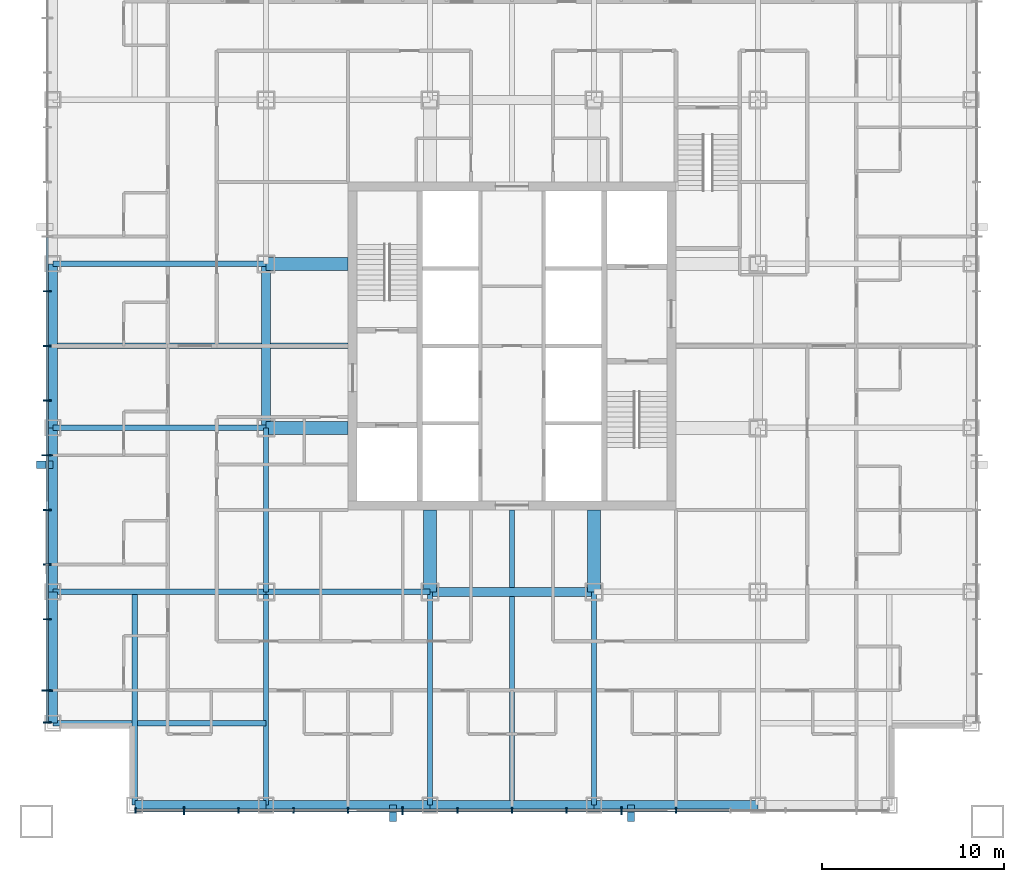
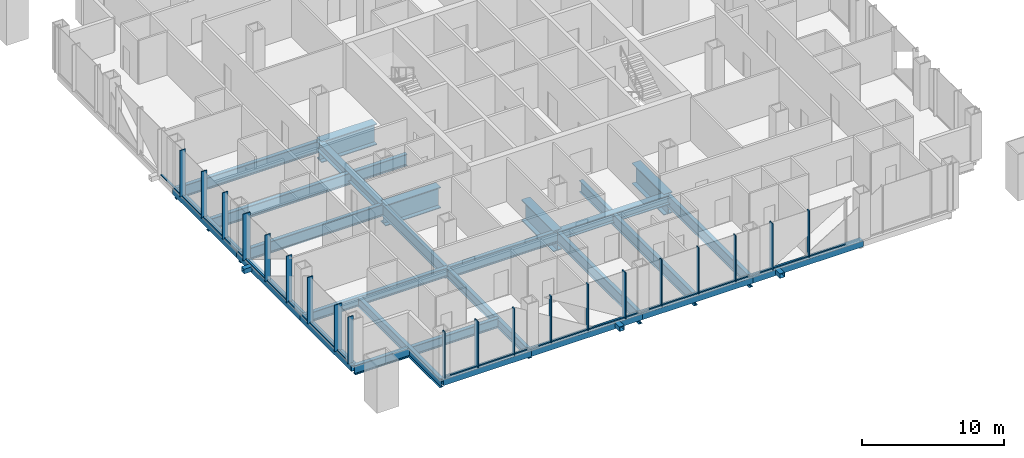
# One storey, part 2 of 17: 43 members, 25 beams, 2 elements without a shape of their own.
"""IFC4 building model written with IfcOpenShell, lengths in metres."""

from ifc_helpers import new_model, si_unit, direction, frame, origin, origin_2d, place, context, subcontext, project, spatial, rectangle, hollow_rectangle, i_section, extrude, material, layer, layer_set, material_profile, profile_set, type_object, element, aggregate, save


model = new_model("IFC4")

# Units and contexts
model_context = context("Model", 3, precision=1e-05, world=origin(), true_north=direction((0.0, 1.0)))
body_context = subcontext(model_context, "Body", "Model", "MODEL_VIEW")
ifc_project = project(units=[si_unit("LENGTHUNIT", "METRE"), si_unit("AREAUNIT", "SQUARE_METRE"), si_unit("VOLUMEUNIT", "CUBIC_METRE"), si_unit("PLANEANGLEUNIT", "RADIAN"), si_unit("MASSUNIT", "GRAM", prefix="KILO")], contexts=[model_context])

# Site, building, storey
site_placement = place(None, origin())
site = spatial("IfcSite", under=ifc_project, at=site_placement, CompositionType="ELEMENT")
building_placement = place(site_placement, origin())
building = spatial("IfcBuilding", under=site, at=building_placement, Name="Malebo Sky Hospital", CompositionType="ELEMENT")
storey_placement = place(building_placement, frame((0.0, 0.0, 51.0)))
storey = spatial("IfcBuildingStorey", under=building, at=storey_placement, Name="L11", CompositionType="ELEMENT", Elevation=51.0)

# Curtain wall, members
ifc_material_1 = material(Name="Anodised aluminium, natural silver", Category="aluminium")
ifc_layer_1 = layer(ifc_material_1, 0.25)
ifc_layer_set_1 = layer_set([ifc_layer_1], Name="WARD CURTAIN WALL EAST AND WEST")
curtain_wall_type_1 = type_object("IfcCurtainWallType", Name="WARD CURTAIN WALL EAST AND WEST", PredefinedType="NOTDEFINED", material=ifc_layer_set_1)
curtain_wall_1_placement = place(storey_placement, origin())
curtain_wall_1 = element("IfcCurtainWall", 1, at=curtain_wall_1_placement, inside=storey, type_object=curtain_wall_type_1, Name="EW curtain wall W", PredefinedType="NOTDEFINED")
ifc_material_profile_1 = material_profile(ifc_material_1, rectangle(XDim=0.14990234375, YDim=0.10009765625, at=origin_2d()), Name="ALUMINIUM TRANSOM 150x100")
ifc_profile_set_1 = profile_set([ifc_material_profile_1], Name="Anodised aluminium, natural silver")
member_type_1 = type_object("IfcMemberType", Name="ALUMINIUM TRANSOM 150x100", PredefinedType="USERDEFINED", material=ifc_profile_set_1)
member_1_placement = place(storey_placement, frame((34.5, 41.375, 0.050048828125), z_axis=(0.0, 1.0, 0.0), x_axis=(-1.0, 0.0, 0.0)))
member_1 = element("IfcMember", 2, at=member_1_placement, type_object=member_type_1, Name="Transom 1", ObjectType="TRANSOM", PredefinedType="USERDEFINED", context=body_context, shape_type="SweptSolid", body=[
    extrude(rectangle(XDim=0.14990234375, YDim=0.10009765625, at=origin_2d()), origin(), (0.0, 0.0, 1.0), 1.6875),
])
member_2_placement = place(storey_placement, frame((34.5, 43.137451171875, 0.050048828125), z_axis=(0.0, 1.0, 0.0), x_axis=(-1.0, 0.0, 0.0)))
member_2 = element("IfcMember", 3, at=member_2_placement, type_object=member_type_1, Name="Transom 2", ObjectType="TRANSOM", PredefinedType="USERDEFINED", context=body_context, shape_type="SweptSolid", body=[
    extrude(rectangle(XDim=0.14990234375, YDim=0.10009765625, at=origin_2d()), origin(), (0.0, 0.0, 1.0), 3.824951171875),
])
member_3_placement = place(storey_placement, frame((34.5, 47.03759765625, 0.050048828125), z_axis=(0.0, 1.0, 0.0), x_axis=(-1.0, 0.0, 0.0)))
member_3 = element("IfcMember", 4, at=member_3_placement, type_object=member_type_1, Name="Transom 3", ObjectType="TRANSOM", PredefinedType="USERDEFINED", context=body_context, shape_type="SweptSolid", body=[
    extrude(rectangle(XDim=0.14990234375, YDim=0.10009765625, at=origin_2d()), origin(), (0.0, 0.0, 1.0), 2.9248046875),
])
member_4_placement = place(storey_placement, frame((34.5, 50.03759765625, 0.050048828125), z_axis=(0.0, 1.0, 0.0), x_axis=(-1.0, 0.0, 0.0)))
member_4 = element("IfcMember", 5, at=member_4_placement, type_object=member_type_1, Name="Transom 4", ObjectType="TRANSOM", PredefinedType="USERDEFINED", context=body_context, shape_type="SweptSolid", body=[
    extrude(rectangle(XDim=0.14990234375, YDim=0.10009765625, at=origin_2d()), origin(), (0.0, 0.0, 1.0), 2.9248046875),
])
member_5_placement = place(storey_placement, frame((34.5, 53.03759765625, 0.050048828125), z_axis=(0.0, 1.0, 0.0), x_axis=(-1.0, 0.0, 0.0)))
member_5 = element("IfcMember", 6, at=member_5_placement, type_object=member_type_1, Name="Transom 5", ObjectType="TRANSOM", PredefinedType="USERDEFINED", context=body_context, shape_type="SweptSolid", body=[
    extrude(rectangle(XDim=0.14990234375, YDim=0.10009765625, at=origin_2d()), origin(), (0.0, 0.0, 1.0), 2.9248046875),
])
member_6_placement = place(storey_placement, frame((34.5, 56.03759765625, 0.050048828125), z_axis=(0.0, 1.0, 0.0), x_axis=(-1.0, 0.0, 0.0)))
member_6 = element("IfcMember", 7, at=member_6_placement, type_object=member_type_1, Name="Transom 6", ObjectType="TRANSOM", PredefinedType="USERDEFINED", context=body_context, shape_type="SweptSolid", body=[
    extrude(rectangle(XDim=0.14990234375, YDim=0.10009765625, at=origin_2d()), origin(), (0.0, 0.0, 1.0), 2.9248046875),
])
member_7_placement = place(storey_placement, frame((34.5, 59.03759765625, 0.050048828125), z_axis=(0.0, 1.0, 0.0), x_axis=(-1.0, 0.0, 0.0)))
member_7 = element("IfcMember", 8, at=member_7_placement, type_object=member_type_1, Name="Transom 7", ObjectType="TRANSOM", PredefinedType="USERDEFINED", context=body_context, shape_type="SweptSolid", body=[
    extrude(rectangle(XDim=0.14990234375, YDim=0.10009765625, at=origin_2d()), origin(), (0.0, 0.0, 1.0), 2.9248046875),
])
member_8_placement = place(storey_placement, frame((34.5, 62.03759765625, 0.050048828125), z_axis=(0.0, 1.0, 0.0), x_axis=(-1.0, 0.0, 0.0)))
member_8 = element("IfcMember", 9, at=member_8_placement, type_object=member_type_1, Name="Transom 8", ObjectType="TRANSOM", PredefinedType="USERDEFINED", context=body_context, shape_type="SweptSolid", body=[
    extrude(rectangle(XDim=0.14990234375, YDim=0.10009765625, at=origin_2d()), origin(), (0.0, 0.0, 1.0), 2.9248046875),
])
member_9_placement = place(storey_placement, frame((34.5, 65.03759765625, 0.050048828125), z_axis=(0.0, 1.0, 0.0), x_axis=(-1.0, 0.0, 0.0)))
member_9 = element("IfcMember", 10, at=member_9_placement, type_object=member_type_1, Name="Transom 9", ObjectType="TRANSOM", PredefinedType="USERDEFINED", context=body_context, shape_type="SweptSolid", body=[
    extrude(rectangle(XDim=0.14990234375, YDim=0.10009765625, at=origin_2d()), origin(), (0.0, 0.0, 1.0), 2.9248046875),
])

ifc_layer_2 = layer(ifc_material_1, 0.25)
ifc_layer_set_2 = layer_set([ifc_layer_2], Name="WARD CURTAIN WALL NORTH AND SOUTH")
curtain_wall_type_2 = type_object("IfcCurtainWallType", Name="WARD CURTAIN WALL NORTH AND SOUTH", PredefinedType="NOTDEFINED", material=ifc_layer_set_2)
curtain_wall_2_placement = place(storey_placement, origin())
curtain_wall_2 = element("IfcCurtainWall", 11, at=curtain_wall_2_placement, inside=storey, type_object=curtain_wall_type_2, Name="NS curtain wall S", PredefinedType="NOTDEFINED")
member_10_placement = place(storey_placement, frame((71.96240234375, 36.5, 0.050048828125), z_axis=(-1.0, 0.0, 0.0), x_axis=(0.0, -1.0, 0.0)))
member_10 = element("IfcMember", 12, at=member_10_placement, type_object=member_type_1, Name="Transom 4", ObjectType="TRANSOM", PredefinedType="USERDEFINED", context=body_context, shape_type="SweptSolid", body=[
    extrude(rectangle(XDim=0.14990234375, YDim=0.10009765625, at=origin_2d()), origin(), (0.0, 0.0, 1.0), 2.9248046875),
])
member_11_placement = place(storey_placement, frame((68.96240234375, 36.5, 0.050048828125), z_axis=(-1.0, 0.0, 0.0), x_axis=(0.0, -1.0, 0.0)))
member_11 = element("IfcMember", 13, at=member_11_placement, type_object=member_type_1, Name="Transom 5", ObjectType="TRANSOM", PredefinedType="USERDEFINED", context=body_context, shape_type="SweptSolid", body=[
    extrude(rectangle(XDim=0.14990234375, YDim=0.10009765625, at=origin_2d()), origin(), (0.0, 0.0, 1.0), 2.9248046875),
])
member_12_placement = place(storey_placement, frame((65.96240234375, 36.5, 0.050048828125), z_axis=(-1.0, 0.0, 0.0), x_axis=(0.0, -1.0, 0.0)))
member_12 = element("IfcMember", 14, at=member_12_placement, type_object=member_type_1, Name="Transom 6", ObjectType="TRANSOM", PredefinedType="USERDEFINED", context=body_context, shape_type="SweptSolid", body=[
    extrude(rectangle(XDim=0.14990234375, YDim=0.10009765625, at=origin_2d()), origin(), (0.0, 0.0, 1.0), 2.9248046875),
])
member_13_placement = place(storey_placement, frame((62.96240234375, 36.5, 0.050048828125), z_axis=(-1.0, 0.0, 0.0), x_axis=(0.0, -1.0, 0.0)))
member_13 = element("IfcMember", 15, at=member_13_placement, type_object=member_type_1, Name="Transom 7", ObjectType="TRANSOM", PredefinedType="USERDEFINED", context=body_context, shape_type="SweptSolid", body=[
    extrude(rectangle(XDim=0.14990234375, YDim=0.10009765625, at=origin_2d()), origin(), (0.0, 0.0, 1.0), 2.9248046875),
])
member_14_placement = place(storey_placement, frame((59.96240234375, 36.5, 0.050048828125), z_axis=(-1.0, 0.0, 0.0), x_axis=(0.0, -1.0, 0.0)))
member_14 = element("IfcMember", 16, at=member_14_placement, type_object=member_type_1, Name="Transom 8", ObjectType="TRANSOM", PredefinedType="USERDEFINED", context=body_context, shape_type="SweptSolid", body=[
    extrude(rectangle(XDim=0.14990234375, YDim=0.10009765625, at=origin_2d()), origin(), (0.0, 0.0, 1.0), 2.9248046875),
])
member_15_placement = place(storey_placement, frame((56.96240234375, 36.5, 0.050048828125), z_axis=(-1.0, 0.0, 0.0), x_axis=(0.0, -1.0, 0.0)))
member_15 = element("IfcMember", 17, at=member_15_placement, type_object=member_type_1, Name="Transom 9", ObjectType="TRANSOM", PredefinedType="USERDEFINED", context=body_context, shape_type="SweptSolid", body=[
    extrude(rectangle(XDim=0.14990234375, YDim=0.10009765625, at=origin_2d()), origin(), (0.0, 0.0, 1.0), 2.9248046875),
])
member_16_placement = place(storey_placement, frame((53.96240234375, 36.5, 0.050048828125), z_axis=(-1.0, 0.0, 0.0), x_axis=(0.0, -1.0, 0.0)))
member_16 = element("IfcMember", 18, at=member_16_placement, type_object=member_type_1, Name="Transom 10", ObjectType="TRANSOM", PredefinedType="USERDEFINED", context=body_context, shape_type="SweptSolid", body=[
    extrude(rectangle(XDim=0.14990234375, YDim=0.10009765625, at=origin_2d()), origin(), (0.0, 0.0, 1.0), 2.9248046875),
])
member_17_placement = place(storey_placement, frame((50.96240234375, 36.5, 0.050048828125), z_axis=(-1.0, 0.0, 0.0), x_axis=(0.0, -1.0, 0.0)))
member_17 = element("IfcMember", 19, at=member_17_placement, type_object=member_type_1, Name="Transom 11", ObjectType="TRANSOM", PredefinedType="USERDEFINED", context=body_context, shape_type="SweptSolid", body=[
    extrude(rectangle(XDim=0.14990234375, YDim=0.10009765625, at=origin_2d()), origin(), (0.0, 0.0, 1.0), 2.9248046875),
])
member_18_placement = place(storey_placement, frame((47.96240234375, 36.5, 0.050048828125), z_axis=(-1.0, 0.0, 0.0), x_axis=(0.0, -1.0, 0.0)))
member_18 = element("IfcMember", 20, at=member_18_placement, type_object=member_type_1, Name="Transom 12", ObjectType="TRANSOM", PredefinedType="USERDEFINED", context=body_context, shape_type="SweptSolid", body=[
    extrude(rectangle(XDim=0.14990234375, YDim=0.10009765625, at=origin_2d()), origin(), (0.0, 0.0, 1.0), 2.9248046875),
])
member_19_placement = place(storey_placement, frame((44.96240234375, 36.5, 0.050048828125), z_axis=(-1.0, 0.0, 0.0), x_axis=(0.0, -1.0, 0.0)))
member_19 = element("IfcMember", 21, at=member_19_placement, type_object=member_type_1, Name="Transom 13", ObjectType="TRANSOM", PredefinedType="USERDEFINED", context=body_context, shape_type="SweptSolid", body=[
    extrude(rectangle(XDim=0.14990234375, YDim=0.10009765625, at=origin_2d()), origin(), (0.0, 0.0, 1.0), 2.9248046875),
])
member_20_placement = place(storey_placement, frame((41.96240234375, 36.5, 0.050048828125), z_axis=(-1.0, 0.0, 0.0), x_axis=(0.0, -1.0, 0.0)))
member_20 = element("IfcMember", 22, at=member_20_placement, type_object=member_type_1, Name="Transom 14", ObjectType="TRANSOM", PredefinedType="USERDEFINED", context=body_context, shape_type="SweptSolid", body=[
    extrude(rectangle(XDim=0.14990234375, YDim=0.10009765625, at=origin_2d()), origin(), (0.0, 0.0, 1.0), 2.58740234375),
])

# Members
ifc_material_2 = material(Name="Steel S355", Category="steel")
ifc_material_profile_2 = material_profile(ifc_material_2, hollow_rectangle(XDim=0.39990234375, YDim=0.39990234375, WallThickness=0.02001953125, at=origin_2d()), Name="SHS 400x20")
ifc_profile_set_2 = profile_set([ifc_material_profile_2], Name="Steel S355")
member_type_2 = type_object("IfcMemberType", Name="BRACE STRUT SHS 400x20", PredefinedType="STRUT", material=ifc_profile_set_2)
for number, where, z_axis, x_axis, name in (
    (23, (66.52490234375, 35.89990234375, -0.39990234375), (0.0, 1.0, 0.0), (-1.0, 0.0, 0.0), "Brace strut AS1 L11"),
    (24, (53.47509765625, 35.89990234375, -0.39990234375), (0.0, 1.0, 0.0), (-1.0, 0.0, 0.0), "Brace strut AS2 L11"),
    (25, (33.89990234375, 55.47509765625, -0.39990234375), (1.0, 0.0, 0.0), (0.0, 1.0, 0.0), "Brace strut AW1 L11"),
):
    element("IfcMember", number, at=place(storey_placement, frame(where, z_axis=z_axis, x_axis=x_axis)), inside=storey, type_object=member_type_2, Name=name, PredefinedType="STRUT", context=body_context, shape_type="SweptSolid", body=[
        extrude(hollow_rectangle(XDim=0.39990234375, YDim=0.39990234375, WallThickness=0.02001953125, at=origin_2d()), origin(), (0.0, 0.0, 1.0), 0.900146484375),
    ])

# Member
ifc_material_profile_3 = material_profile(ifc_material_1, rectangle(XDim=0.074951171875, YDim=0.300048828125, at=origin_2d()), Name="CW1 ALUMINIUM FIN MULLION 75x300")
ifc_profile_set_3 = profile_set([ifc_material_profile_3], Name="Anodised aluminium, natural silver")
member_type_3 = type_object("IfcMemberType", Name="CW1 ALUMINIUM FIN MULLION 75x300", PredefinedType="MULLION", material=ifc_profile_set_3)
member_21_placement = place(storey_placement, frame((69.0, 36.5, 0.0), z_axis=(0.0, 0.0, 1.0), x_axis=(-1.0, 0.0, 0.0)))
member_21 = element("IfcMember", 26, at=member_21_placement, type_object=member_type_3, Name="Fin mullion 5", PredefinedType="MULLION", context=body_context, shape_type="SweptSolid", body=[
    extrude(rectangle(XDim=0.074951171875, YDim=0.300048828125, at=origin_2d()), origin(), (0.0, 0.0, 1.0), 4.0),
])

member_22_placement = place(storey_placement, frame((63.0, 36.5, 0.0), z_axis=(0.0, 0.0, 1.0), x_axis=(-1.0, 0.0, 0.0)))
member_22 = element("IfcMember", 27, at=member_22_placement, type_object=member_type_3, Name="Fin mullion 7", PredefinedType="MULLION", context=body_context, shape_type="SweptSolid", body=[
    extrude(rectangle(XDim=0.074951171875, YDim=0.300048828125, at=origin_2d()), origin(), (0.0, 0.0, 1.0), 4.0),
])

member_23_placement = place(storey_placement, frame((60.0, 36.5, 0.0), z_axis=(0.0, 0.0, 1.0), x_axis=(-1.0, 0.0, 0.0)))
member_23 = element("IfcMember", 28, at=member_23_placement, type_object=member_type_3, Name="Fin mullion 8", PredefinedType="MULLION", context=body_context, shape_type="SweptSolid", body=[
    extrude(rectangle(XDim=0.074951171875, YDim=0.300048828125, at=origin_2d()), origin(), (0.0, 0.0, 1.0), 4.0),
])

member_24_placement = place(storey_placement, frame((57.0, 36.5, 0.0), z_axis=(0.0, 0.0, 1.0), x_axis=(-1.0, 0.0, 0.0)))
member_24 = element("IfcMember", 29, at=member_24_placement, type_object=member_type_3, Name="Fin mullion 9", PredefinedType="MULLION", context=body_context, shape_type="SweptSolid", body=[
    extrude(rectangle(XDim=0.074951171875, YDim=0.300048828125, at=origin_2d()), origin(), (0.0, 0.0, 1.0), 4.0),
])

member_25_placement = place(storey_placement, frame((51.0, 36.5, 0.0), z_axis=(0.0, 0.0, 1.0), x_axis=(-1.0, 0.0, 0.0)))
member_25 = element("IfcMember", 30, at=member_25_placement, type_object=member_type_3, Name="Fin mullion 11", PredefinedType="MULLION", context=body_context, shape_type="SweptSolid", body=[
    extrude(rectangle(XDim=0.074951171875, YDim=0.300048828125, at=origin_2d()), origin(), (0.0, 0.0, 1.0), 4.0),
])

member_26_placement = place(storey_placement, frame((48.0, 36.5, 0.0), z_axis=(0.0, 0.0, 1.0), x_axis=(-1.0, 0.0, 0.0)))
member_26 = element("IfcMember", 31, at=member_26_placement, type_object=member_type_3, Name="Fin mullion 12", PredefinedType="MULLION", context=body_context, shape_type="SweptSolid", body=[
    extrude(rectangle(XDim=0.074951171875, YDim=0.300048828125, at=origin_2d()), origin(), (0.0, 0.0, 1.0), 4.0),
])

member_27_placement = place(storey_placement, frame((45.0, 36.5, 0.0), z_axis=(0.0, 0.0, 1.0), x_axis=(-1.0, 0.0, 0.0)))
member_27 = element("IfcMember", 32, at=member_27_placement, type_object=member_type_3, Name="Fin mullion 13", PredefinedType="MULLION", context=body_context, shape_type="SweptSolid", body=[
    extrude(rectangle(XDim=0.074951171875, YDim=0.300048828125, at=origin_2d()), origin(), (0.0, 0.0, 1.0), 4.0),
])

member_28_placement = place(storey_placement, frame((39.33740234375, 36.5, 0.0), z_axis=(0.0, 0.0, 1.0), x_axis=(-1.0, 0.0, 0.0)))
member_28 = element("IfcMember", 33, at=member_28_placement, type_object=member_type_3, Name="Fin mullion 15", PredefinedType="MULLION", context=body_context, shape_type="SweptSolid", body=[
    extrude(rectangle(XDim=0.074951171875, YDim=0.300048828125, at=origin_2d()), origin(), (0.0, 0.0, 1.0), 4.0),
])

ifc_material_profile_4 = material_profile(ifc_material_1, rectangle(XDim=0.074951171875, YDim=0.449951171875, at=origin_2d()), Name="CW1 ALUMINIUM FIN MULLION 75x450")
ifc_profile_set_4 = profile_set([ifc_material_profile_4], Name="Anodised aluminium, natural silver")
member_type_4 = type_object("IfcMemberType", Name="CW1 ALUMINIUM FIN MULLION 75x450", PredefinedType="MULLION", material=ifc_profile_set_4)
member_29_placement = place(storey_placement, frame((66.0, 36.5, 0.0), z_axis=(0.0, 0.0, 1.0), x_axis=(-1.0, 0.0, 0.0)))
member_29 = element("IfcMember", 34, at=member_29_placement, type_object=member_type_4, Name="Fin mullion 6", PredefinedType="MULLION", context=body_context, shape_type="SweptSolid", body=[
    extrude(rectangle(XDim=0.074951171875, YDim=0.449951171875, at=origin_2d()), origin(), (0.0, 0.0, 1.0), 4.0),
])

member_30_placement = place(storey_placement, frame((54.0, 36.5, 0.0), z_axis=(0.0, 0.0, 1.0), x_axis=(-1.0, 0.0, 0.0)))
member_30 = element("IfcMember", 35, at=member_30_placement, type_object=member_type_4, Name="Fin mullion 10", PredefinedType="MULLION", context=body_context, shape_type="SweptSolid", body=[
    extrude(rectangle(XDim=0.074951171875, YDim=0.449951171875, at=origin_2d()), origin(), (0.0, 0.0, 1.0), 4.0),
])

member_31_placement = place(storey_placement, frame((42.0, 36.5, 0.0), z_axis=(0.0, 0.0, 1.0), x_axis=(-1.0, 0.0, 0.0)))
member_31 = element("IfcMember", 36, at=member_31_placement, type_object=member_type_4, Name="Fin mullion 14", PredefinedType="MULLION", context=body_context, shape_type="SweptSolid", body=[
    extrude(rectangle(XDim=0.074951171875, YDim=0.449951171875, at=origin_2d()), origin(), (0.0, 0.0, 1.0), 4.0),
])

aggregate(curtain_wall_2, [member_21, member_29, member_22, member_23, member_24, member_30, member_25, member_26, member_27, member_31, member_28, member_10, member_11, member_12, member_13, member_14, member_15, member_16, member_17, member_18, member_19, member_20])

ifc_material_profile_5 = material_profile(ifc_material_1, rectangle(XDim=0.074951171875, YDim=0.449951171875, at=origin_2d()), Name="CW2 ALUMINIUM FIN MULLION 75x450")
ifc_profile_set_5 = profile_set([ifc_material_profile_5], Name="Anodised aluminium, natural silver")
member_type_5 = type_object("IfcMemberType", Name="CW2 ALUMINIUM FIN MULLION 75x450", PredefinedType="MULLION", material=ifc_profile_set_5)
member_32_placement = place(storey_placement, frame((34.5, 41.33740234375, 0.0), z_axis=(0.0, 0.0, 1.0), x_axis=(0.0, 1.0, 0.0)))
member_32 = element("IfcMember", 37, at=member_32_placement, type_object=member_type_5, Name="Fin mullion 1", PredefinedType="MULLION", context=body_context, shape_type="SweptSolid", body=[
    extrude(rectangle(XDim=0.074951171875, YDim=0.449951171875, at=origin_2d()), origin(), (0.0, 0.0, 1.0), 4.0),
])

member_33_placement = place(storey_placement, frame((34.5, 47.0, 0.0), z_axis=(0.0, 0.0, 1.0), x_axis=(0.0, 1.0, 0.0)))
member_33 = element("IfcMember", 38, at=member_33_placement, type_object=member_type_5, Name="Fin mullion 3", PredefinedType="MULLION", context=body_context, shape_type="SweptSolid", body=[
    extrude(rectangle(XDim=0.074951171875, YDim=0.449951171875, at=origin_2d()), origin(), (0.0, 0.0, 1.0), 4.0),
])

member_34_placement = place(storey_placement, frame((34.5, 50.0, 0.0), z_axis=(0.0, 0.0, 1.0), x_axis=(0.0, 1.0, 0.0)))
member_34 = element("IfcMember", 39, at=member_34_placement, type_object=member_type_5, Name="Fin mullion 4", PredefinedType="MULLION", context=body_context, shape_type="SweptSolid", body=[
    extrude(rectangle(XDim=0.074951171875, YDim=0.449951171875, at=origin_2d()), origin(), (0.0, 0.0, 1.0), 4.0),
])

member_35_placement = place(storey_placement, frame((34.5, 53.0, 0.0), z_axis=(0.0, 0.0, 1.0), x_axis=(0.0, 1.0, 0.0)))
member_35 = element("IfcMember", 40, at=member_35_placement, type_object=member_type_5, Name="Fin mullion 5", PredefinedType="MULLION", context=body_context, shape_type="SweptSolid", body=[
    extrude(rectangle(XDim=0.074951171875, YDim=0.449951171875, at=origin_2d()), origin(), (0.0, 0.0, 1.0), 4.0),
])

member_36_placement = place(storey_placement, frame((34.5, 59.0, 0.0), z_axis=(0.0, 0.0, 1.0), x_axis=(0.0, 1.0, 0.0)))
member_36 = element("IfcMember", 41, at=member_36_placement, type_object=member_type_5, Name="Fin mullion 7", PredefinedType="MULLION", context=body_context, shape_type="SweptSolid", body=[
    extrude(rectangle(XDim=0.074951171875, YDim=0.449951171875, at=origin_2d()), origin(), (0.0, 0.0, 1.0), 4.0),
])

member_37_placement = place(storey_placement, frame((34.5, 62.0, 0.0), z_axis=(0.0, 0.0, 1.0), x_axis=(0.0, 1.0, 0.0)))
member_37 = element("IfcMember", 42, at=member_37_placement, type_object=member_type_5, Name="Fin mullion 8", PredefinedType="MULLION", context=body_context, shape_type="SweptSolid", body=[
    extrude(rectangle(XDim=0.074951171875, YDim=0.449951171875, at=origin_2d()), origin(), (0.0, 0.0, 1.0), 4.0),
])

member_38_placement = place(storey_placement, frame((34.5, 65.0, 0.0), z_axis=(0.0, 0.0, 1.0), x_axis=(0.0, 1.0, 0.0)))
member_38 = element("IfcMember", 43, at=member_38_placement, type_object=member_type_5, Name="Fin mullion 9", PredefinedType="MULLION", context=body_context, shape_type="SweptSolid", body=[
    extrude(rectangle(XDim=0.074951171875, YDim=0.449951171875, at=origin_2d()), origin(), (0.0, 0.0, 1.0), 4.0),
])

ifc_material_profile_6 = material_profile(ifc_material_1, rectangle(XDim=0.074951171875, YDim=0.60009765625, at=origin_2d()), Name="CW2 ALUMINIUM FIN MULLION 75x600")
ifc_profile_set_6 = profile_set([ifc_material_profile_6], Name="Anodised aluminium, natural silver")
member_type_6 = type_object("IfcMemberType", Name="CW2 ALUMINIUM FIN MULLION 75x600", PredefinedType="MULLION", material=ifc_profile_set_6)
member_39_placement = place(storey_placement, frame((34.5, 43.10009765625, 0.0), z_axis=(0.0, 0.0, 1.0), x_axis=(0.0, 1.0, 0.0)))
member_39 = element("IfcMember", 44, at=member_39_placement, type_object=member_type_6, Name="Fin mullion 2", PredefinedType="MULLION", context=body_context, shape_type="SweptSolid", body=[
    extrude(rectangle(XDim=0.074951171875, YDim=0.60009765625, at=origin_2d()), origin(), (0.0, 0.0, 1.0), 4.0),
])

member_40_placement = place(storey_placement, frame((34.5, 56.0, 0.0), z_axis=(0.0, 0.0, 1.0), x_axis=(0.0, 1.0, 0.0)))
member_40 = element("IfcMember", 45, at=member_40_placement, type_object=member_type_6, Name="Fin mullion 6", PredefinedType="MULLION", context=body_context, shape_type="SweptSolid", body=[
    extrude(rectangle(XDim=0.074951171875, YDim=0.60009765625, at=origin_2d()), origin(), (0.0, 0.0, 1.0), 4.0),
])

aggregate(curtain_wall_1, [member_32, member_39, member_33, member_34, member_35, member_40, member_36, member_37, member_38, member_1, member_2, member_3, member_4, member_5, member_6, member_7, member_8, member_9])

# Beams
ifc_material_3 = material(Name="Steel S460", Category="steel")
ifc_material_profile_7 = material_profile(ifc_material_3, hollow_rectangle(XDim=0.5, YDim=0.5, WallThickness=0.030029296875, at=origin_2d()), Name="BOX 500x500x30")
ifc_profile_set_7 = profile_set([ifc_material_profile_7], Name="Steel S460")
beam_type_1 = type_object("IfcBeamType", Name="EDGE BEAM BOX 500x500x30", PredefinedType="BEAM", material=ifc_profile_set_7)
beam_1_placement = place(storey_placement, frame((34.800048828125, 41.300048828125, -0.5), z_axis=(0.0, 1.0, 0.0), x_axis=(-1.0, 0.0, 0.0)))
element("IfcBeam", 46, at=beam_1_placement, inside=storey, type_object=beam_type_1, Name="Beam 000 L11", PredefinedType="BEAM", context=body_context, shape_type="SweptSolid", body=[
    extrude(hollow_rectangle(XDim=0.5, YDim=0.5, WallThickness=0.030029296875, at=origin_2d()), origin(), (0.0, 0.0, 1.0), 7.199951171875),
])
for number, where, z_axis, x_axis, name in (
    (47, (34.800048828125, 48.5, -0.5), (0.0, 1.0, 0.0), (-1.0, 0.0, 0.0), "Beam 001 L11"),
    (48, (34.800048828125, 57.5, -0.5), (0.0, 1.0, 0.0), (-1.0, 0.0, 0.0), "Beam 002 L11"),
):
    element("IfcBeam", number, at=place(storey_placement, frame(where, z_axis=z_axis, x_axis=x_axis)), inside=storey, type_object=beam_type_1, Name=name, PredefinedType="BEAM", context=body_context, shape_type="SweptSolid", body=[
        extrude(hollow_rectangle(XDim=0.5, YDim=0.5, WallThickness=0.030029296875, at=origin_2d()), origin(), (0.0, 0.0, 1.0), 9.0),
    ])
beam_2_placement = place(storey_placement, frame((39.300048828125, 36.800048828125, -0.5), z_axis=(1.0, 0.0, 0.0), x_axis=(0.0, 1.0, 0.0)))
element("IfcBeam", 49, at=beam_2_placement, inside=storey, type_object=beam_type_1, Name="Beam 034 L11", PredefinedType="BEAM", context=body_context, shape_type="SweptSolid", body=[
    extrude(hollow_rectangle(XDim=0.5, YDim=0.5, WallThickness=0.030029296875, at=origin_2d()), origin(), (0.0, 0.0, 1.0), 7.199951171875),
])
for number, where, z_axis, x_axis, name in (
    (50, (46.5, 36.800048828125, -0.5), (1.0, 0.0, 0.0), (0.0, 1.0, 0.0), "Beam 035 L11"),
    (51, (55.5, 36.800048828125, -0.5), (1.0, 0.0, 0.0), (0.0, 1.0, 0.0), "Beam 036 L11"),
    (52, (64.5, 36.800048828125, -0.5), (1.0, 0.0, 0.0), (0.0, 1.0, 0.0), "Beam 037 L11"),
):
    element("IfcBeam", number, at=place(storey_placement, frame(where, z_axis=z_axis, x_axis=x_axis)), inside=storey, type_object=beam_type_1, Name=name, PredefinedType="BEAM", context=body_context, shape_type="SweptSolid", body=[
        extrude(hollow_rectangle(XDim=0.5, YDim=0.5, WallThickness=0.030029296875, at=origin_2d()), origin(), (0.0, 0.0, 1.0), 9.0),
    ])
ifc_material_profile_8 = material_profile(ifc_material_2, i_section(OverallWidth=0.300048828125, OverallDepth=1.0, WebThickness=0.01904296875, FlangeThickness=0.035888671875, FilletRadius=0.030029296875, at=origin_2d()), Name="HEB 1000")
ifc_profile_set_8 = profile_set([ifc_material_profile_8], Name="Steel S355")
beam_type_2 = type_object("IfcBeamType", Name="FLOOR BEAM HEB 1000", PredefinedType="BEAM", material=ifc_profile_set_8)
beam_3_placement = place(storey_placement, frame((46.5, 48.5, -0.75), z_axis=(0.0, 1.0, 0.0), x_axis=(-1.0, 0.0, 0.0)))
element("IfcBeam", 53, at=beam_3_placement, inside=storey, type_object=beam_type_2, Name="Beam 008 L11", PredefinedType="BEAM", context=body_context, shape_type="SweptSolid", body=[
    extrude(i_section(OverallWidth=0.300048828125, OverallDepth=1.0, WebThickness=0.01904296875, FlangeThickness=0.035888671875, FilletRadius=0.030029296875, at=origin_2d()), origin(), (0.0, 0.0, 1.0), 9.0),
])
beam_4_placement = place(storey_placement, frame((55.5, 36.800048828125, -0.75), z_axis=(0.0, 1.0, 0.0), x_axis=(-1.0, 0.0, 0.0)))
element("IfcBeam", 54, at=beam_4_placement, inside=storey, type_object=beam_type_2, Name="Beam 012 L11", PredefinedType="BEAM", context=body_context, shape_type="SweptSolid", body=[
    extrude(i_section(OverallWidth=0.300048828125, OverallDepth=1.0, WebThickness=0.01904296875, FlangeThickness=0.035888671875, FilletRadius=0.030029296875, at=origin_2d()), origin(), (0.0, 0.0, 1.0), 11.699951171875),
])
beam_5_placement = place(storey_placement, frame((60.0, 36.800048828125, -0.75), z_axis=(0.0, 1.0, 0.0), x_axis=(-1.0, 0.0, 0.0)))
element("IfcBeam", 55, at=beam_5_placement, inside=storey, type_object=beam_type_2, Name="Beam 016 L11", PredefinedType="BEAM", context=body_context, shape_type="SweptSolid", body=[
    extrude(i_section(OverallWidth=0.300048828125, OverallDepth=1.0, WebThickness=0.01904296875, FlangeThickness=0.035888671875, FilletRadius=0.030029296875, at=origin_2d()), origin(), (0.0, 0.0, 1.0), 16.199951171875),
])
beam_6_placement = place(storey_placement, frame((64.5, 36.800048828125, -0.75), z_axis=(0.0, 1.0, 0.0), x_axis=(-1.0, 0.0, 0.0)))
element("IfcBeam", 56, at=beam_6_placement, inside=storey, type_object=beam_type_2, Name="Beam 018 L11", PredefinedType="BEAM", context=body_context, shape_type="SweptSolid", body=[
    extrude(i_section(OverallWidth=0.300048828125, OverallDepth=1.0, WebThickness=0.01904296875, FlangeThickness=0.035888671875, FilletRadius=0.030029296875, at=origin_2d()), origin(), (0.0, 0.0, 1.0), 11.699951171875),
])
beam_7_placement = place(storey_placement, frame((46.5, 48.5, -0.75), z_axis=(1.0, 0.0, 0.0), x_axis=(0.0, 1.0, 0.0)))
element("IfcBeam", 57, at=beam_7_placement, inside=storey, type_object=beam_type_2, Name="Beam 042 L11", PredefinedType="BEAM", context=body_context, shape_type="SweptSolid", body=[
    extrude(i_section(OverallWidth=0.300048828125, OverallDepth=1.0, WebThickness=0.01904296875, FlangeThickness=0.035888671875, FilletRadius=0.030029296875, at=origin_2d()), origin(), (0.0, 0.0, 1.0), 9.0),
])
beam_8_placement = place(storey_placement, frame((34.800048828125, 57.5, -0.75), z_axis=(1.0, 0.0, 0.0), x_axis=(0.0, 1.0, 0.0)))
element("IfcBeam", 58, at=beam_8_placement, inside=storey, type_object=beam_type_2, Name="Beam 046 L11", PredefinedType="BEAM", context=body_context, shape_type="SweptSolid", body=[
    extrude(i_section(OverallWidth=0.300048828125, OverallDepth=1.0, WebThickness=0.01904296875, FlangeThickness=0.035888671875, FilletRadius=0.030029296875, at=origin_2d()), origin(), (0.0, 0.0, 1.0), 11.699951171875),
])
beam_9_placement = place(storey_placement, frame((34.800048828125, 62.0, -0.75), z_axis=(1.0, 0.0, 0.0), x_axis=(0.0, 1.0, 0.0)))
element("IfcBeam", 59, at=beam_9_placement, inside=storey, type_object=beam_type_2, Name="Beam 050 L11", PredefinedType="BEAM", context=body_context, shape_type="SweptSolid", body=[
    extrude(i_section(OverallWidth=0.300048828125, OverallDepth=1.0, WebThickness=0.01904296875, FlangeThickness=0.035888671875, FilletRadius=0.030029296875, at=origin_2d()), origin(), (0.0, 0.0, 1.0), 16.199951171875),
])
beam_10_placement = place(storey_placement, frame((34.800048828125, 66.5, -0.75), z_axis=(1.0, 0.0, 0.0), x_axis=(0.0, 1.0, 0.0)))
element("IfcBeam", 60, at=beam_10_placement, inside=storey, type_object=beam_type_2, Name="Beam 052 L11", PredefinedType="BEAM", context=body_context, shape_type="SweptSolid", body=[
    extrude(i_section(OverallWidth=0.300048828125, OverallDepth=1.0, WebThickness=0.01904296875, FlangeThickness=0.035888671875, FilletRadius=0.030029296875, at=origin_2d()), origin(), (0.0, 0.0, 1.0), 11.699951171875),
])
ifc_material_profile_9 = material_profile(ifc_material_2, i_section(OverallWidth=0.300048828125, OverallDepth=0.800048828125, WebThickness=0.017578125, FlangeThickness=0.032958984375, FilletRadius=0.030029296875, at=origin_2d()), Name="HEB 800")
ifc_profile_set_9 = profile_set([ifc_material_profile_9], Name="Steel S355")
beam_type_3 = type_object("IfcBeamType", Name="FLOOR BEAM HEB 800", PredefinedType="BEAM", material=ifc_profile_set_9)
for number, where, z_axis, x_axis, name in (
    (61, (39.300048828125, 36.800048828125, -0.64990234375), (0.0, 1.0, 0.0), (-1.0, 0.0, 0.0), "Beam 005 L11"),
    (62, (34.800048828125, 41.300048828125, -0.64990234375), (1.0, 0.0, 0.0), (0.0, 1.0, 0.0), "Beam 039 L11"),
):
    element("IfcBeam", number, at=place(storey_placement, frame(where, z_axis=z_axis, x_axis=x_axis)), inside=storey, type_object=beam_type_3, Name=name, PredefinedType="BEAM", context=body_context, shape_type="SweptSolid", body=[
        extrude(i_section(OverallWidth=0.300048828125, OverallDepth=0.800048828125, WebThickness=0.017578125, FlangeThickness=0.032958984375, FilletRadius=0.030029296875, at=origin_2d()), origin(), (0.0, 0.0, 1.0), 11.699951171875),
    ])
ifc_material_profile_10 = material_profile(ifc_material_2, i_section(OverallWidth=0.699951171875, OverallDepth=1.800048828125, WebThickness=0.034912109375, FlangeThickness=0.070068359375, at=origin_2d()), Name="PG 1800x700x35x70")
ifc_profile_set_10 = profile_set([ifc_material_profile_10], Name="Steel S355")
beam_type_4 = type_object("IfcBeamType", Name="FLOOR BEAM PG 1800x700x35x70", PredefinedType="BEAM", material=ifc_profile_set_10)
for number, where, z_axis, x_axis, name in (
    (63, (55.5, 48.5, -1.14990234375), (0.0, 1.0, 0.0), (-1.0, 0.0, 0.0), "Beam 013 L11"),
    (64, (64.5, 48.5, -1.14990234375), (0.0, 1.0, 0.0), (-1.0, 0.0, 0.0), "Beam 019 L11"),
    (65, (46.5, 57.5, -1.14990234375), (1.0, 0.0, 0.0), (0.0, 1.0, 0.0), "Beam 047 L11"),
    (66, (46.5, 66.5, -1.14990234375), (1.0, 0.0, 0.0), (0.0, 1.0, 0.0), "Beam 053 L11"),
):
    element("IfcBeam", number, at=place(storey_placement, frame(where, z_axis=z_axis, x_axis=x_axis)), inside=storey, type_object=beam_type_4, Name=name, PredefinedType="BEAM", context=body_context, shape_type="SweptSolid", body=[
        extrude(i_section(OverallWidth=0.699951171875, OverallDepth=1.800048828125, WebThickness=0.034912109375, FlangeThickness=0.070068359375, at=origin_2d()), origin(), (0.0, 0.0, 1.0), 4.5),
    ])
ifc_material_profile_11 = material_profile(ifc_material_2, i_section(OverallWidth=0.300048828125, OverallDepth=0.800048828125, WebThickness=0.017578125, FlangeThickness=0.032958984375, FilletRadius=0.030029296875, at=origin_2d()), Name="HEB 800")
ifc_profile_set_11 = profile_set([ifc_material_profile_11], Name="Steel S355")
beam_type_5 = type_object("IfcBeamType", Name="FLOOR GIRDER HEB 800", PredefinedType="BEAM", material=ifc_profile_set_11)
for number, where, z_axis, x_axis, name in (
    (67, (46.5, 36.800048828125, -0.64990234375), (0.0, 1.0, 0.0), (-1.0, 0.0, 0.0), "Beam 007 L11"),
    (68, (34.800048828125, 48.5, -0.64990234375), (1.0, 0.0, 0.0), (0.0, 1.0, 0.0), "Beam 041 L11"),
):
    element("IfcBeam", number, at=place(storey_placement, frame(where, z_axis=z_axis, x_axis=x_axis)), inside=storey, type_object=beam_type_5, Name=name, PredefinedType="BEAM", context=body_context, shape_type="SweptSolid", body=[
        extrude(i_section(OverallWidth=0.300048828125, OverallDepth=0.800048828125, WebThickness=0.017578125, FlangeThickness=0.032958984375, FilletRadius=0.030029296875, at=origin_2d()), origin(), (0.0, 0.0, 1.0), 11.699951171875),
    ])
ifc_material_profile_12 = material_profile(ifc_material_2, i_section(OverallWidth=0.5, OverallDepth=0.800048828125, WebThickness=0.030029296875, FlangeThickness=0.050048828125, at=origin_2d()), Name="PG 800x500x30x50")
ifc_profile_set_12 = profile_set([ifc_material_profile_12], Name="Steel S355")
beam_type_6 = type_object("IfcBeamType", Name="RING GIRDER PG 800x500x30x50", PredefinedType="BEAM", material=ifc_profile_set_12)
for number, where, z_axis, x_axis, name in (
    (69, (46.5, 57.5, -0.64990234375), (0.0, 1.0, 0.0), (-1.0, 0.0, 0.0), "Beam 009 L11"),
    (70, (55.5, 48.5, -0.64990234375), (1.0, 0.0, 0.0), (0.0, 1.0, 0.0), "Beam 043 L11"),
):
    element("IfcBeam", number, at=place(storey_placement, frame(where, z_axis=z_axis, x_axis=x_axis)), inside=storey, type_object=beam_type_6, Name=name, PredefinedType="BEAM", context=body_context, shape_type="SweptSolid", body=[
        extrude(i_section(OverallWidth=0.5, OverallDepth=0.800048828125, WebThickness=0.030029296875, FlangeThickness=0.050048828125, at=origin_2d()), origin(), (0.0, 0.0, 1.0), 9.0),
    ])

save(model, "model.ifc")
